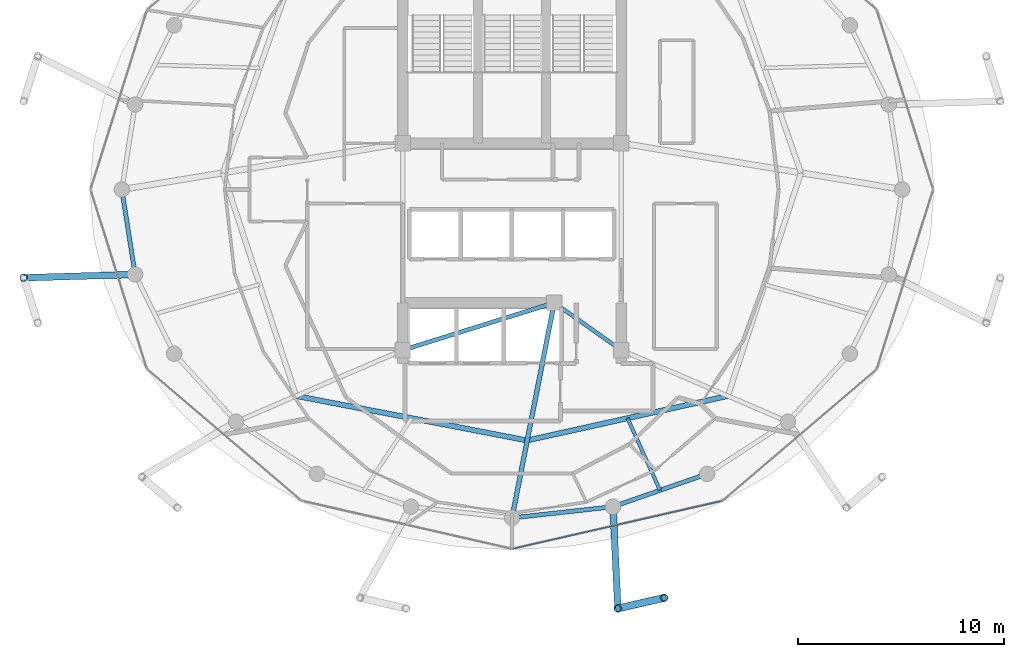
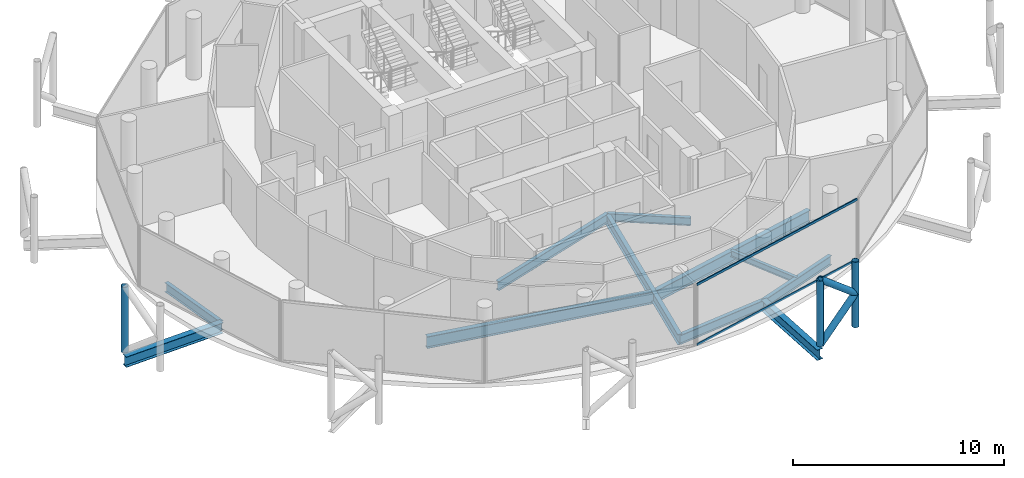
# One storey, part 5 of 24: 11 beams, 7 members, 1 element without a shape of its own.
"""IFC4 building model written with IfcOpenShell, lengths in metres."""

import ifcopenshell
import ifcopenshell.guid

model = None  # the IFC model being written
_history = None  # IfcOwnerHistory: only IFC2X3 demands one
_inside = {}  # id of a spatial element -> (the spatial element, [elements in it])
_under = {}  # id of a project, library or spatial element -> (it, [spatial elements below it])
_declared = {}  # id of a project -> (the project, [libraries it declares])
_typed = {}  # id of a type object -> (the type object, [elements of that type])
_made_of = {}  # id of a material, layer set ... -> (it, [elements and type objects made of it])


def new_model(schema):
    """Start an empty IFC model of exactly this schema.

    Asked for "IFC4X3", IfcOpenShell would pick the latest addendum, in which some entities
    have other attributes; the version numbers below select the first issue.
    IFC2X3 requires an IfcOwnerHistory on every rooted entity: one is made here for all.
    """
    global model, _history
    if schema == "IFC4X3":
        model = ifcopenshell.file(schema_version=(4, 3, 0, 0))
    else:
        model = ifcopenshell.file(schema=schema)
    _inside.clear()
    _under.clear()
    _declared.clear()
    _typed.clear()
    _made_of.clear()
    _history = None
    if model.schema == "IFC2X3":
        org = make("IfcOrganization", Name="unknown")
        user = make(
            "IfcPersonAndOrganization",
            ThePerson=make("IfcPerson", FamilyName="unknown"),
            TheOrganization=org,
        )
        app = make(
            "IfcApplication",
            ApplicationDeveloper=org,
            Version="unknown",
            ApplicationFullName="unknown",
            ApplicationIdentifier="unknown",
        )
        _history = make(
            "IfcOwnerHistory",
            OwningUser=user,
            OwningApplication=app,
            ChangeAction="ADDED",
            CreationDate=0,
        )
    return model


def make(cls, **values):
    """One entity of the class cls with the attributes given. An attribute that is None is left unset."""
    return model.create_entity(
        cls, **{name: value for name, value in values.items() if value is not None}
    )


def rooted(cls, **values):
    """An entity with a GlobalId (a new one), such as an element, a storey or a relation."""
    return make(cls, GlobalId=ifcopenshell.guid.new(), OwnerHistory=_history, **values)


def si_unit(unit_type, name, prefix=None):
    """IfcSIUnit, for example si_unit("LENGTHUNIT", "METRE", prefix="MILLI")."""
    return make("IfcSIUnit", UnitType=unit_type, Prefix=prefix, Name=name)


def assignment(units):
    """IfcUnitAssignment: the units of a project."""
    return None if units is None else make("IfcUnitAssignment", Units=units)


def point(xyz):
    """IfcCartesianPoint."""
    return None if xyz is None else make("IfcCartesianPoint", Coordinates=xyz)


def direction(xyz):
    """IfcDirection."""
    return None if xyz is None else make("IfcDirection", DirectionRatios=xyz)


def frame(location, z_axis=None, x_axis=None):
    """IfcAxis2Placement3D, a coordinate frame: its origin and axes. An axis left out is left unset."""
    return make(
        "IfcAxis2Placement3D",
        Location=point(location),
        Axis=direction(z_axis),
        RefDirection=direction(x_axis),
    )


def frame_2d(location, x_axis=None):
    """IfcAxis2Placement2D, a coordinate frame in the plane: its origin and x axis."""
    return make(
        "IfcAxis2Placement2D", Location=point(location), RefDirection=direction(x_axis)
    )


def origin():
    """The frame at (0, 0, 0) with its axes left unset."""
    return frame((0.0, 0.0, 0.0))


def origin_2d():
    """The frame at (0, 0) in the plane with its x axis left unset."""
    return frame_2d((0.0, 0.0))


def place(relative_to, where):
    """IfcLocalPlacement: puts the frame where relative to a parent placement (None: the world)."""
    return make(
        "IfcLocalPlacement", PlacementRelTo=relative_to, RelativePlacement=where
    )


def context(
    kind, dimensions, precision=None, world=None, true_north=None, identifier=None
):
    """IfcGeometricRepresentationContext, for example the 3D "Model" context."""
    return make(
        "IfcGeometricRepresentationContext",
        ContextIdentifier=identifier,
        ContextType=kind,
        CoordinateSpaceDimension=dimensions,
        Precision=precision,
        WorldCoordinateSystem=world,
        TrueNorth=true_north,
    )


def subcontext(parent, identifier, kind, view, scale=None):
    """IfcGeometricRepresentationSubContext, for example "Body" below "Model"."""
    return make(
        "IfcGeometricRepresentationSubContext",
        ContextIdentifier=identifier,
        ContextType=kind,
        ParentContext=parent,
        TargetScale=scale,
        TargetView=view,
    )


def project(units=None, contexts=None):
    """IfcProject with its units and contexts."""
    return rooted(
        "IfcProject",
        Name="project",
        RepresentationContexts=contexts,
        UnitsInContext=assignment(units),
    )


def spatial(cls, under=None, at=None, **own):
    """A site, building, storey or space (cls), placed at a placement, below another one or the project."""
    s = rooted(cls, ObjectPlacement=at, **own)
    if under is not None:
        _under.setdefault(under.id(), (under, []))[1].append(s)
    return s


def profile(cls, at=None, kind="AREA", **sizes):
    """A parametric profile (cls). Its sizes go by their IFC names, for example OverallWidth=200.0."""
    return make(cls, ProfileType=kind, Position=at, **sizes)


def hollow_rectangle(**sizes):
    """IfcRectangleHollowProfileDef."""
    return profile("IfcRectangleHollowProfileDef", **sizes)


def hollow_circle(**sizes):
    """IfcCircleHollowProfileDef."""
    return profile("IfcCircleHollowProfileDef", **sizes)


def i_section(**sizes):
    """IfcIShapeProfileDef."""
    return profile("IfcIShapeProfileDef", **sizes)


def extrude(swept, where, along, depth):
    """IfcExtrudedAreaSolid: the profile swept, set in the frame where, extruded along a direction by depth."""
    return make(
        "IfcExtrudedAreaSolid",
        SweptArea=swept,
        Position=where,
        ExtrudedDirection=direction(along),
        Depth=depth,
    )


def shape(context_of_items, identifier, shape_type, items):
    """IfcShapeRepresentation: the items that make up one representation, for example the "Body"."""
    return make(
        "IfcShapeRepresentation",
        ContextOfItems=context_of_items,
        RepresentationIdentifier=identifier,
        RepresentationType=shape_type,
        Items=items,
    )


def material(Name=None, Category=None):
    """IfcMaterial."""
    return make("IfcMaterial", Name=Name, Category=Category)


def layer(
    of_material, thickness, ventilated=None, Name=None, Category=None, Priority=None
):
    """IfcMaterialLayer: one layer of a wall or slab, of a material (None: an air gap)."""
    return make(
        "IfcMaterialLayer",
        Material=of_material,
        LayerThickness=thickness,
        IsVentilated=ventilated,
        Name=Name,
        Category=Category,
        Priority=Priority,
    )


def layer_set(layers, Name=None):
    """IfcMaterialLayerSet."""
    return make("IfcMaterialLayerSet", MaterialLayers=layers, LayerSetName=Name)


def material_profile(
    of_material, cross_section, Name=None, Category=None, Priority=None
):
    """IfcMaterialProfile: a cross section and its material."""
    return make(
        "IfcMaterialProfile",
        Name=Name,
        Material=of_material,
        Profile=cross_section,
        Priority=Priority,
        Category=Category,
    )


def profile_set(profiles, Name=None, composite=None):
    """IfcMaterialProfileSet."""
    return make(
        "IfcMaterialProfileSet",
        Name=Name,
        MaterialProfiles=profiles,
        CompositeProfile=composite,
    )


def made_of(thing, what):
    """Note that an element or type object is made of a material, layer set ...; save() writes the relation."""
    if what is not None:
        _made_of.setdefault(what.id(), (what, []))[1].append(thing)
    return thing


def type_object(cls, material=None, **own):
    """A type object (cls), such as IfcWallType, which elements share."""
    return made_of(rooted(cls, **own), material)


def element(
    cls,
    number,
    at=None,
    inside=None,
    cuts=None,
    type_object=None,
    material=None,
    context=None,
    identifier="Body",
    shape_type=None,
    held_by="IfcProductDefinitionShape",
    body=None,
    shapes=None,
    **own,
):
    """One element of the class cls, such as IfcWall. Its Tag is "e" and its number.

    at: its placement. inside: the storey or other place that contains it. cuts: it is an
    opening in that element (IfcRelVoidsElement). A single representation is given by context,
    identifier, shape_type and body (its items); several are given by shapes. held_by: the class
    of the entity that holds the representations. save() writes the other relations.
    """
    e = rooted(cls, Tag="e%d" % number, ObjectPlacement=at, **own)
    if body is not None:
        shapes = [shape(context, identifier, shape_type, body)]
    if shapes is not None:
        e.Representation = make(held_by, Representations=shapes)
    if inside is not None:
        _inside.setdefault(inside.id(), (inside, []))[1].append(e)
    if cuts is not None:
        rooted(
            "IfcRelVoidsElement", RelatingBuildingElement=cuts, RelatedOpeningElement=e
        )
    if type_object is not None:
        _typed.setdefault(type_object.id(), (type_object, []))[1].append(e)
    return made_of(e, material)


def aggregate(whole, parts):
    """IfcRelAggregates: a whole, such as a stair, and the parts it consists of."""
    return rooted("IfcRelAggregates", RelatingObject=whole, RelatedObjects=parts)


def save(model, path):
    """Write the relations noted so far, then the file.

    IfcRelAggregates (storeys below a building ...), IfcRelContainedInSpatialStructure (elements
    in a storey), IfcRelDefinesByType, IfcRelAssociatesMaterial and IfcRelDeclares: one each for
    every whole, place, type object, material and project.
    """
    for whole, parts in _under.values():
        aggregate(whole, parts)
    for where, things in _inside.values():
        rooted(
            "IfcRelContainedInSpatialStructure",
            RelatedElements=things,
            RelatingStructure=where,
        )
    for kind, things in _typed.values():
        rooted("IfcRelDefinesByType", RelatedObjects=things, RelatingType=kind)
    for what, things in _made_of.values():
        rooted("IfcRelAssociatesMaterial", RelatedObjects=things, RelatingMaterial=what)
    for by, libraries in _declared.values():
        rooted("IfcRelDeclares", RelatingContext=by, RelatedDefinitions=libraries)
    model.write(path)


model = new_model("IFC4")

# Units and contexts
model_context = context("Model", 3, precision=1e-05, world=origin(), true_north=direction((0.0, 1.0)))
body_context = subcontext(model_context, "Body", "Model", "MODEL_VIEW")
ifc_project = project(units=[si_unit("LENGTHUNIT", "METRE"), si_unit("AREAUNIT", "SQUARE_METRE"), si_unit("VOLUMEUNIT", "CUBIC_METRE"), si_unit("PLANEANGLEUNIT", "RADIAN"), si_unit("MASSUNIT", "GRAM", prefix="KILO")], contexts=[model_context])

# Site, building, storey
site_placement = place(None, origin())
site = spatial("IfcSite", under=ifc_project, at=site_placement, CompositionType="ELEMENT")
building_placement = place(site_placement, origin())
building = spatial("IfcBuilding", under=site, at=building_placement, Name="Nuhasar Tower", CompositionType="ELEMENT")
storey_placement = place(building_placement, frame((0.0, 0.0, 282.199951171875)))
storey = spatial("IfcBuildingStorey", under=building, at=storey_placement, Name="L70", CompositionType="ELEMENT", Elevation=282.199951171875)

# Beams
ifc_material_1 = material(Name="Steel S355", Category="steel")
ifc_material_profile_1 = material_profile(ifc_material_1, i_section(OverallWidth=0.25390625, OverallDepth=0.68408203125, WebThickness=0.012451171875, FlangeThickness=0.018798828125, at=origin_2d()), Name="W27X94")
ifc_profile_set_1 = profile_set([ifc_material_profile_1], Name="Steel S355")
beam_type_1 = type_object("IfcBeamType", Name="BM-INRING-W27X94", PredefinedType="BEAM", material=ifc_profile_set_1)
beam_1_placement = place(storey_placement, frame((28.51611328125, 16.77392578125, -0.60205078125), z_axis=(0.981944682954, -0.189168283859, 0.0), x_axis=(0.189168283859, 0.981944682954, 0.0)))
element("IfcBeam", 1, at=beam_1_placement, inside=storey, type_object=beam_type_1, Name="L70 Inner Header Beam 01", PredefinedType="BEAM", context=body_context, shape_type="SweptSolid", body=[
    extrude(i_section(OverallWidth=0.25390625, OverallDepth=0.68408203125, WebThickness=0.012451171875, FlangeThickness=0.018798828125, at=origin_2d()), origin(), (0.0, 0.0, 1.0), 11.42822265625),
])
beam_2_placement = place(storey_placement, frame((39.738037109375, 14.612060546875, -0.60205078125), z_axis=(0.97626927806, 0.216560145726, 0.0), x_axis=(-0.216560145726, 0.97626927806, 0.0)))
element("IfcBeam", 2, at=beam_2_placement, inside=storey, type_object=beam_type_1, Name="L70 Inner Header Beam 02", PredefinedType="BEAM", context=body_context, shape_type="SweptSolid", body=[
    extrude(i_section(OverallWidth=0.25390625, OverallDepth=0.68408203125, WebThickness=0.012451171875, FlangeThickness=0.018798828125, at=origin_2d()), origin(), (0.0, 0.0, 1.0), 9.982666015625),
])
ifc_material_profile_2 = material_profile(ifc_material_1, i_section(OverallWidth=0.1708984375, OverallDepth=0.35205078125, WebThickness=0.0068359375, FlangeThickness=0.009765625, at=origin_2d()), Name="W14X30")
ifc_profile_set_2 = profile_set([ifc_material_profile_2], Name="Steel S355")
beam_type_2 = type_object("IfcBeamType", Name="BM-JST-W14X30", PredefinedType="JOIST", material=ifc_profile_set_2)
beam_3_placement = place(storey_placement, frame((44.611083984375, 15.693115234375, -0.43603515625), z_axis=(0.41089033708, -0.911684776057, 0.0), x_axis=(0.911684776057, 0.41089033708, 0.0)))
element("IfcBeam", 3, at=beam_3_placement, inside=storey, type_object=beam_type_2, Name="L70 Secondary Floor Joist 02", PredefinedType="JOIST", context=body_context, shape_type="SweptSolid", body=[
    extrude(i_section(OverallWidth=0.1708984375, OverallDepth=0.35205078125, WebThickness=0.0068359375, FlangeThickness=0.009765625, at=origin_2d()), origin(), (0.0, 0.0, 1.0), 3.842529296875),
])
ifc_material_profile_3 = material_profile(ifc_material_1, i_section(OverallWidth=0.18994140625, OverallDepth=0.45703125, WebThickness=0.009033203125, FlangeThickness=0.014404296875, at=origin_2d()), Name="W18X50")
ifc_profile_set_3 = profile_set([ifc_material_profile_3], Name="Steel S355")
beam_type_3 = type_object("IfcBeamType", Name="BM-RAD-W18X50", PredefinedType="BEAM", material=ifc_profile_set_3)
beam_4_placement = place(storey_placement, frame((41.050048828125, 21.300048828125, -0.488037109375), z_axis=(0.816265428953, -0.577677028708, 0.0), x_axis=(0.577677028708, 0.816265428953, 0.0)))
element("IfcBeam", 4, at=beam_4_placement, inside=storey, type_object=beam_type_3, Name="L70 Core Ring Girder 2", PredefinedType="BEAM", context=body_context, shape_type="SweptSolid", body=[
    extrude(i_section(OverallWidth=0.18994140625, OverallDepth=0.45703125, WebThickness=0.009033203125, FlangeThickness=0.014404296875, at=origin_2d()), origin(), (0.0, 0.0, 1.0), 3.9814453125),
])
ifc_material_profile_4 = material_profile(ifc_material_1, i_section(OverallWidth=0.208984375, OverallDepth=0.528076171875, WebThickness=0.009521484375, FlangeThickness=0.01318359375, at=origin_2d()), Name="W21X55")
ifc_profile_set_4 = profile_set([ifc_material_profile_4], Name="Steel S355")
beam_type_4 = type_object("IfcBeamType", Name="BM-RAD-W21X55", PredefinedType="BEAM", material=ifc_profile_set_4)
beam_5_placement = place(storey_placement, frame((33.699951171875, 19.0, -0.52392578125), z_axis=(0.954363709454, 0.298646798205, 0.0), x_axis=(-0.298646798205, 0.954363709454, 0.0)))
element("IfcBeam", 5, at=beam_5_placement, inside=storey, type_object=beam_type_4, Name="L70 Core Ring Girder 1", PredefinedType="BEAM", context=body_context, shape_type="SweptSolid", body=[
    extrude(i_section(OverallWidth=0.208984375, OverallDepth=0.528076171875, WebThickness=0.009521484375, FlangeThickness=0.01318359375, at=origin_2d()), origin(), (0.0, 0.0, 1.0), 7.70166015625),
])
ifc_material_profile_5 = material_profile(ifc_material_1, i_section(OverallWidth=0.22900390625, OverallDepth=0.612060546875, WebThickness=0.011962890625, FlangeThickness=0.01953125, at=origin_2d()), Name="W24X84")
ifc_profile_set_5 = profile_set([ifc_material_profile_5], Name="Steel S355")
beam_type_5 = type_object("IfcBeamType", Name="BM-RAD-W24X84", PredefinedType="BEAM", material=ifc_profile_set_5)
beam_6_placement = place(storey_placement, frame((41.050048828125, 21.300048828125, -0.56591796875), z_axis=(-0.192508395576, -0.981295326409, 0.0), x_axis=(0.981295326409, -0.192508395576, 0.0)))
element("IfcBeam", 6, at=beam_6_placement, inside=storey, type_object=beam_type_5, Name="L70 Radial Floor Girder 02", PredefinedType="BEAM", context=body_context, shape_type="SweptSolid", body=[
    extrude(i_section(OverallWidth=0.22900390625, OverallDepth=0.612060546875, WebThickness=0.011962890625, FlangeThickness=0.01953125, at=origin_2d()), origin(), (0.0, 0.0, 1.0), 10.649169921875),
])
ifc_material_profile_6 = material_profile(ifc_material_1, i_section(OverallWidth=0.2099609375, OverallDepth=0.537109375, WebThickness=0.010986328125, FlangeThickness=0.017333984375, at=origin_2d()), Name="W21X68")
ifc_profile_set_6 = profile_set([ifc_material_profile_6], Name="Steel S355")
beam_type_6 = type_object("IfcBeamType", Name="BM-RING-W21X68", PredefinedType="SPANDREL", material=ifc_profile_set_6)
beam_7_placement = place(storey_placement, frame((20.050048828125, 26.800048828125, -0.529052734375), z_axis=(0.154612165232, -0.987975241776, 0.0), x_axis=(0.987975241776, 0.154612165232, 0.0)))
element("IfcBeam", 7, at=beam_7_placement, inside=storey, type_object=beam_type_6, Name="L70 Perimeter Ring Spandrel 13", PredefinedType="SPANDREL", context=body_context, shape_type="SweptSolid", body=[
    extrude(i_section(OverallWidth=0.2099609375, OverallDepth=0.537109375, WebThickness=0.010986328125, FlangeThickness=0.017333984375, at=origin_2d()), origin(), (0.0, 0.0, 1.0), 4.17822265625),
])
beam_8_placement = place(storey_placement, frame((39.0, 10.85009765625, -0.529052734375), z_axis=(0.99392889943, 0.110024283128, 0.0), x_axis=(-0.110024283128, 0.99392889943, 0.0)))
element("IfcBeam", 8, at=beam_8_placement, inside=storey, type_object=beam_type_6, Name="L70 Perimeter Ring Spandrel 19", PredefinedType="SPANDREL", context=body_context, shape_type="SweptSolid", body=[
    extrude(i_section(OverallWidth=0.2099609375, OverallDepth=0.537109375, WebThickness=0.010986328125, FlangeThickness=0.017333984375, at=origin_2d()), origin(), (0.0, 0.0, 1.0), 4.93505859375),
])
beam_9_placement = place(storey_placement, frame((43.905029296875, 11.39306640625, -0.529052734375), z_axis=(0.944214043504, 0.329332415729, 0.0), x_axis=(-0.329332415729, 0.944214043504, 0.0)))
element("IfcBeam", 9, at=beam_9_placement, inside=storey, type_object=beam_type_6, Name="L70 Perimeter Ring Spandrel 20", PredefinedType="SPANDREL", context=body_context, shape_type="SweptSolid", body=[
    extrude(i_section(OverallWidth=0.2099609375, OverallDepth=0.537109375, WebThickness=0.010986328125, FlangeThickness=0.017333984375, at=origin_2d()), origin(), (0.0, 0.0, 1.0), 4.840087890625),
])
ifc_material_profile_7 = material_profile(ifc_material_1, i_section(OverallWidth=0.323974609375, OverallDepth=0.611083984375, WebThickness=0.0126953125, FlangeThickness=0.01904296875, at=origin_2d()), Name="W24X104")
ifc_profile_set_7 = profile_set([ifc_material_profile_7], Name="Steel S355")
beam_type_7 = type_object("IfcBeamType", Name="BM-TIE-W24X104", PredefinedType="BEAM", material=ifc_profile_set_7)
beam_10_placement = place(storey_placement, frame((20.696044921875, 22.672119140625, -0.56494140625), z_axis=(-0.999573346236, -0.029208312065, 0.0), x_axis=(0.029208312065, -0.999573346236, 0.0)))
element("IfcBeam", 10, at=beam_10_placement, inside=storey, type_object=beam_type_7, Name="L70 Exoskeleton Node Tie Beam 07", PredefinedType="BEAM", context=body_context, shape_type="SweptSolid", body=[
    extrude(i_section(OverallWidth=0.323974609375, OverallDepth=0.611083984375, WebThickness=0.0126953125, FlangeThickness=0.01904296875, at=origin_2d()), origin(), (0.0, 0.0, 1.0), 5.416259765625),
])
beam_11_placement = place(storey_placement, frame((43.905029296875, 11.39306640625, -0.56494140625), z_axis=(0.048109027225, -0.998842090372, 0.0), x_axis=(0.998842090372, 0.048109027225, 0.0)))
element("IfcBeam", 11, at=beam_11_placement, inside=storey, type_object=beam_type_7, Name="L70 Exoskeleton Node Tie Beam 10", PredefinedType="BEAM", context=body_context, shape_type="SweptSolid", body=[
    extrude(i_section(OverallWidth=0.323974609375, OverallDepth=0.611083984375, WebThickness=0.0126953125, FlangeThickness=0.01904296875, at=origin_2d()), origin(), (0.0, 0.0, 1.0), 4.94775390625),
])

# Curtain wall, members
ifc_material_2 = material(Name="Aluminium 6063-T6", Category="aluminium")
ifc_layer = layer(ifc_material_2, 0.18994140625)
ifc_layer_set = layer_set([ifc_layer], Name="Aluminium 6063-T6")
curtain_wall_type = type_object("IfcCurtainWallType", Name="CW-Z4-PEN", PredefinedType="NOTDEFINED", material=ifc_layer_set)
curtain_wall_placement = place(storey_placement, origin())
curtain_wall = element("IfcCurtainWall", 12, at=curtain_wall_placement, inside=storey, type_object=curtain_wall_type, Name="L70 Unitised Curtain Wall 10", PredefinedType="NOTDEFINED")
ifc_material_profile_8 = material_profile(ifc_material_2, hollow_rectangle(XDim=0.06005859375, YDim=0.135009765625, WallThickness=0.00439453125, at=origin_2d()), Name="CWT-5")
ifc_profile_set_8 = profile_set([ifc_material_profile_8], Name="Aluminium 6063-T6")
member_type_1 = type_object("IfcMemberType", Name="CW-TRN-S5", PredefinedType="USERDEFINED", material=ifc_profile_set_8)
member_1_placement = place(storey_placement, frame((39.05859375, 9.353271484375, 0.030029296875), z_axis=(0.974843752401, 0.222889341163, 0.0), x_axis=(-0.222889341163, 0.974843752401, 0.0)))
member_1 = element("IfcMember", 13, at=member_1_placement, type_object=member_type_1, Name="CW-Z4 transom 1.1", ObjectType="TRANSOM", PredefinedType="USERDEFINED", context=body_context, shape_type="SweptSolid", body=[
    extrude(hollow_rectangle(XDim=0.06005859375, YDim=0.135009765625, WallThickness=0.00439453125, at=origin_2d()), origin(), (0.0, 0.0, 1.0), 10.3740234375),
])
member_2_placement = place(storey_placement, frame((39.05859375, 9.353271484375, 3.510009765625), z_axis=(0.974843752401, 0.222889341163, 0.0), x_axis=(-0.222889341163, 0.974843752401, 0.0)))
member_2 = element("IfcMember", 14, at=member_2_placement, type_object=member_type_1, Name="CW-Z4 transom 1.2", ObjectType="TRANSOM", PredefinedType="USERDEFINED", context=body_context, shape_type="SweptSolid", body=[
    extrude(hollow_rectangle(XDim=0.06005859375, YDim=0.135009765625, WallThickness=0.00439453125, at=origin_2d()), origin(), (0.0, 0.0, 1.0), 10.3740234375),
])
aggregate(curtain_wall, [member_1, member_2])

# Members
ifc_material_3 = material(Name="Steel S460", Category="steel")
ifc_material_profile_9 = material_profile(ifc_material_3, hollow_circle(Radius=0.177734375, WallThickness=0.015869140625, at=origin_2d()), Name="HSS355.6X15.9")
ifc_profile_set_9 = profile_set([ifc_material_profile_9], Name="Steel S460")
member_type_2 = type_object("IfcMemberType", Name="EXO-BRONZE-356", PredefinedType="BRACE", material=ifc_profile_set_9)
for number, where, z_axis, x_axis, name in (
    (15, (15.281982421875, 22.513916015625, 0.0), (0.0, 0.0, 1.0), (1.0, 0.0, 0.0), "L70 Exoskeleton Chord Column EC-07A"),
    (16, (44.14306640625, 6.450927734375, 0.0), (0.0, 0.0, 1.0), (1.0, 0.0, 0.0), "L70 Exoskeleton Chord Column EC-10A"),
    (17, (46.384033203125, 6.967041015625, 0.0), (0.0, 0.0, 1.0), (1.0, 0.0, 0.0), "L70 Exoskeleton Chord Column EC-10B"),
):
    element("IfcMember", number, at=place(storey_placement, frame(where, z_axis=z_axis, x_axis=x_axis)), inside=storey, type_object=member_type_2, Name=name, PredefinedType="BRACE", context=body_context, shape_type="SweptSolid", body=[
        extrude(hollow_circle(Radius=0.177734375, WallThickness=0.015869140625, at=origin_2d()), origin(), (0.0, 0.0, 1.0), 3.800048828125),
    ])
member_3_placement = place(storey_placement, frame((44.14306640625, 6.450927734375, 0.0), z_axis=(0.751221815951, 0.173012628709, 0.636971281571), x_axis=(-0.224433035437, 0.97448951385, 0.0)))
element("IfcMember", 18, at=member_3_placement, inside=storey, type_object=member_type_2, Name="L70 Bronze Diagrid Brace W1-10", PredefinedType="BRACE", context=body_context, shape_type="SweptSolid", body=[
    extrude(hollow_circle(Radius=0.177734375, WallThickness=0.015869140625, at=origin_2d()), origin(), (0.0, 0.0, 1.0), 2.983154296875),
])
member_4_placement = place(storey_placement, frame((46.384033203125, 6.967041015625, 1.900146484375), z_axis=(-0.751260978137, -0.173021648086, 0.636922642103), x_axis=(0.224433035437, -0.97448951385, 0.0)))
element("IfcMember", 19, at=member_4_placement, inside=storey, type_object=member_type_2, Name="L70 Bronze Diagrid Brace W2-10", PredefinedType="BRACE", context=body_context, shape_type="SweptSolid", body=[
    extrude(hollow_circle(Radius=0.177734375, WallThickness=0.015869140625, at=origin_2d()), origin(), (0.0, 0.0, 1.0), 2.98291015625),
])

save(model, "model.ifc")
